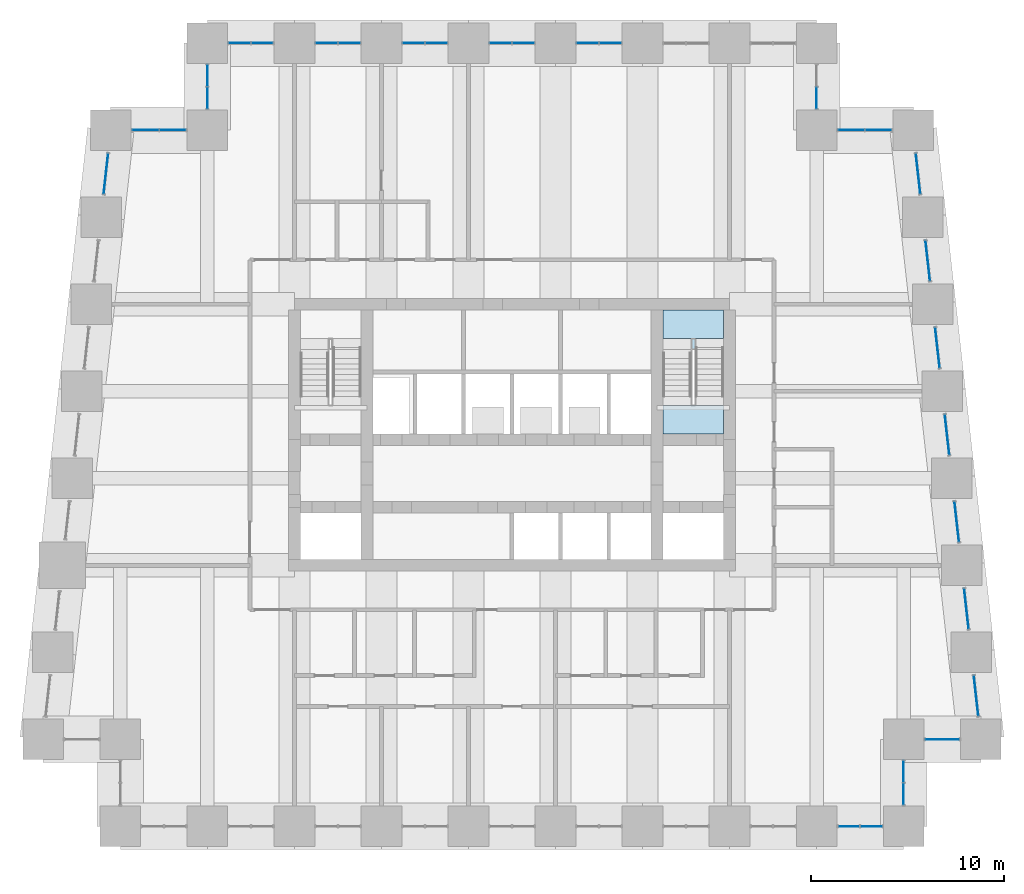
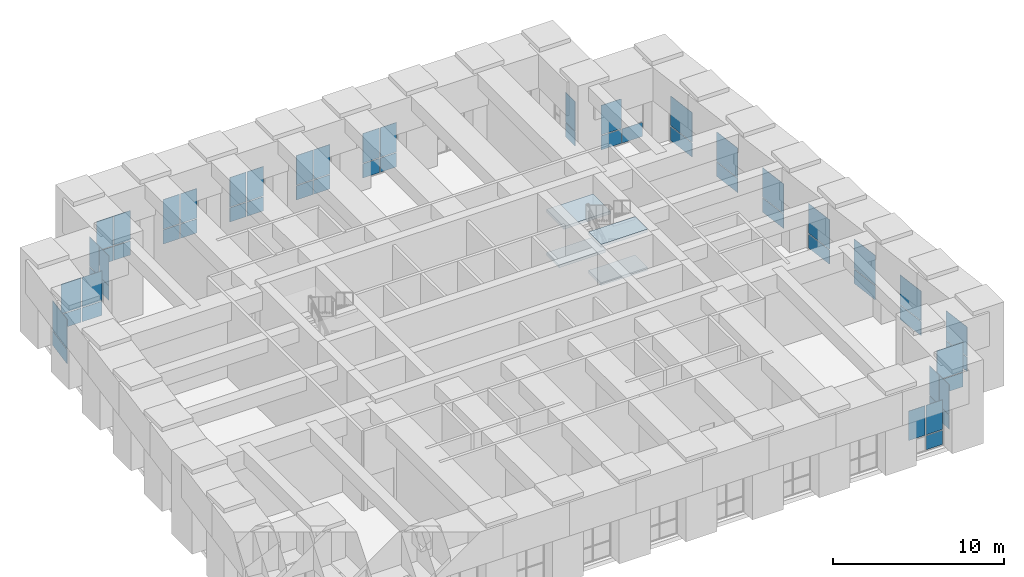
# One storey, part 10 of 17: 58 plates, 4 slabs, 21 elements without a shape of their own.
"""IFC4 building model written with IfcOpenShell, lengths in metres."""

from ifc_helpers import new_model, si_unit, direction, frame, origin, origin_2d, place, context, subcontext, project, spatial, polyline, rectangle, outline, extrude, material, layer, layer_set, type_object, element, aggregate, save


model = new_model("IFC4")

# Units and contexts
model_context = context("Model", 3, precision=1e-05, world=origin(), true_north=direction((0.0, 1.0)))
body_context = subcontext(model_context, "Body", "Model", "MODEL_VIEW")
ifc_project = project(units=[si_unit("LENGTHUNIT", "METRE"), si_unit("AREAUNIT", "SQUARE_METRE"), si_unit("VOLUMEUNIT", "CUBIC_METRE"), si_unit("PLANEANGLEUNIT", "RADIAN"), si_unit("MASSUNIT", "GRAM", prefix="KILO")], contexts=[model_context])

# Site, building, storey
site_placement = place(None, origin())
site = spatial("IfcSite", under=ifc_project, at=site_placement, CompositionType="ELEMENT")
building_placement = place(site_placement, origin())
building = spatial("IfcBuilding", under=site, at=building_placement, Name="Kilele Tower Hotel", CompositionType="ELEMENT")
storey_placement = place(building_placement, frame((0.0, 0.0, 145.89990234375)))
storey = spatial("IfcBuildingStorey", under=building, at=storey_placement, Name="L38", CompositionType="ELEMENT", Elevation=145.89990234375)

# Curtain wall, plates
ifc_material_1 = material(Name="Aluminium curtain wall, clear double glazing", Category="aluminium")
curtain_wall_type = type_object("IfcCurtainWallType", Name="Sky lobby curtain wall CW-3", PredefinedType="NOTDEFINED", material=ifc_material_1)
curtain_wall_1_placement = place(storey_placement, origin())
curtain_wall_1 = element("IfcCurtainWall", 1, at=curtain_wall_1_placement, inside=storey, type_object=curtain_wall_type, Name="Sky lobby curtain wall CW-3 L38", PredefinedType="NOTDEFINED")
ifc_material_2 = material(Name="Clear double glazing", Category="glass")
ifc_layer_1 = layer(ifc_material_2, 0.028076171875)
ifc_layer_set_1 = layer_set([ifc_layer_1], Name="Clear double glazing")
plate_type = type_object("IfcPlateType", Name="Glazed panel 28 CW-3", PredefinedType="CURTAIN_PANEL", material=ifc_layer_set_1)
plate_1_placement = place(storey_placement, frame((42.1650390625, 0.0, 1.1298828125), z_axis=(0.0, 0.0, 1.0), x_axis=(1.0, 0.0, 0.0)))
plate_1 = element("IfcPlate", 2, at=plate_1_placement, type_object=plate_type, Name="CW-3 panel 1.2", PredefinedType="CURTAIN_PANEL", context=body_context, shape_type="SweptSolid", body=[
    extrude(rectangle(XDim=1.110107421875, YDim=0.028076171875, at=origin_2d()), origin(), (0.0, 0.0, 1.0), 2.110107421875),
])
plate_2_placement = place(storey_placement, frame((43.3349609375, 0.0, 0.06005859375), z_axis=(0.0, 0.0, 1.0), x_axis=(1.0, 0.0, 0.0)))
plate_2 = element("IfcPlate", 3, at=plate_2_placement, type_object=plate_type, Name="CW-3 panel 2.1", PredefinedType="CURTAIN_PANEL", context=body_context, shape_type="SweptSolid", body=[
    extrude(rectangle(XDim=1.110107421875, YDim=0.028076171875, at=origin_2d()), origin(), (0.0, 0.0, 1.0), 1.010009765625),
])
plate_3_placement = place(storey_placement, frame((43.3349609375, 0.0, 1.1298828125), z_axis=(0.0, 0.0, 1.0), x_axis=(1.0, 0.0, 0.0)))
plate_3 = element("IfcPlate", 4, at=plate_3_placement, type_object=plate_type, Name="CW-3 panel 2.2", PredefinedType="CURTAIN_PANEL", context=body_context, shape_type="SweptSolid", body=[
    extrude(rectangle(XDim=1.110107421875, YDim=0.028076171875, at=origin_2d()), origin(), (0.0, 0.0, 1.0), 2.110107421875),
])
aggregate(curtain_wall_1, [plate_1, plate_2, plate_3])

curtain_wall_2_placement = place(storey_placement, origin())
curtain_wall_2 = element("IfcCurtainWall", 5, at=curtain_wall_2_placement, inside=storey, type_object=curtain_wall_type, Name="Sky lobby curtain wall CW-3 L38", PredefinedType="NOTDEFINED")
plate_4_placement = place(storey_placement, frame((45.0, 1.6650390625, 0.06005859375), z_axis=(0.0, 0.0, 1.0), x_axis=(0.0, 1.0, 0.0)))
plate_4 = element("IfcPlate", 6, at=plate_4_placement, type_object=plate_type, Name="CW-3 panel 1.1", PredefinedType="CURTAIN_PANEL", context=body_context, shape_type="SweptSolid", body=[
    extrude(rectangle(XDim=1.110107421875, YDim=0.028076171875, at=origin_2d()), origin(), (0.0, 0.0, 1.0), 1.010009765625),
])
plate_5_placement = place(storey_placement, frame((45.0, 1.6650390625, 1.1298828125), z_axis=(0.0, 0.0, 1.0), x_axis=(0.0, 1.0, 0.0)))
plate_5 = element("IfcPlate", 7, at=plate_5_placement, type_object=plate_type, Name="CW-3 panel 1.2", PredefinedType="CURTAIN_PANEL", context=body_context, shape_type="SweptSolid", body=[
    extrude(rectangle(XDim=1.110107421875, YDim=0.028076171875, at=origin_2d()), origin(), (0.0, 0.0, 1.0), 2.110107421875),
])
plate_6_placement = place(storey_placement, frame((45.0, 2.8349609375, 0.06005859375), z_axis=(0.0, 0.0, 1.0), x_axis=(0.0, 1.0, 0.0)))
plate_6 = element("IfcPlate", 8, at=plate_6_placement, type_object=plate_type, Name="CW-3 panel 2.1", PredefinedType="CURTAIN_PANEL", context=body_context, shape_type="SweptSolid", body=[
    extrude(rectangle(XDim=1.110107421875, YDim=0.028076171875, at=origin_2d()), origin(), (0.0, 0.0, 1.0), 1.010009765625),
])
plate_7_placement = place(storey_placement, frame((45.0, 2.8349609375, 1.1298828125), z_axis=(0.0, 0.0, 1.0), x_axis=(0.0, 1.0, 0.0)))
plate_7 = element("IfcPlate", 9, at=plate_7_placement, type_object=plate_type, Name="CW-3 panel 2.2", PredefinedType="CURTAIN_PANEL", context=body_context, shape_type="SweptSolid", body=[
    extrude(rectangle(XDim=1.110107421875, YDim=0.028076171875, at=origin_2d()), origin(), (0.0, 0.0, 1.0), 2.110107421875),
])
aggregate(curtain_wall_2, [plate_4, plate_5, plate_6, plate_7])

curtain_wall_3_placement = place(storey_placement, origin())
curtain_wall_3 = element("IfcCurtainWall", 10, at=curtain_wall_3_placement, inside=storey, type_object=curtain_wall_type, Name="Sky lobby curtain wall CW-3 L38", PredefinedType="NOTDEFINED")
plate_8_placement = place(storey_placement, frame((47.0, 4.5, 0.06005859375), z_axis=(0.0, 0.0, 1.0), x_axis=(1.0, 0.0, 0.0)))
plate_8 = element("IfcPlate", 11, at=plate_8_placement, type_object=plate_type, Name="CW-3 panel 1.1", PredefinedType="CURTAIN_PANEL", context=body_context, shape_type="SweptSolid", body=[
    extrude(rectangle(XDim=1.780029296875, YDim=0.028076171875, at=origin_2d()), origin(), (0.0, 0.0, 1.0), 1.010009765625),
])
plate_9_placement = place(storey_placement, frame((47.0, 4.5, 1.1298828125), z_axis=(0.0, 0.0, 1.0), x_axis=(1.0, 0.0, 0.0)))
plate_9 = element("IfcPlate", 12, at=plate_9_placement, type_object=plate_type, Name="CW-3 panel 1.2", PredefinedType="CURTAIN_PANEL", context=body_context, shape_type="SweptSolid", body=[
    extrude(rectangle(XDim=1.780029296875, YDim=0.028076171875, at=origin_2d()), origin(), (0.0, 0.0, 1.0), 2.110107421875),
])
aggregate(curtain_wall_3, [plate_8, plate_9])

curtain_wall_4_placement = place(storey_placement, origin())
curtain_wall_4 = element("IfcCurtainWall", 13, at=curtain_wall_4_placement, inside=storey, type_object=curtain_wall_type, Name="Sky lobby curtain wall CW-3 L38", PredefinedType="NOTDEFINED")
plate_10_placement = place(storey_placement, frame((48.75, 6.75, 0.06005859375), z_axis=(0.0, 0.0, 1.0), x_axis=(-0.110431526475, 0.993883734629, 0.0)))
plate_10 = element("IfcPlate", 14, at=plate_10_placement, type_object=plate_type, Name="CW-3 panel 1.1", PredefinedType="CURTAIN_PANEL", context=body_context, shape_type="SweptSolid", body=[
    extrude(rectangle(XDim=2.088623046875, YDim=0.028076171875, at=origin_2d()), origin(), (0.0, 0.0, 1.0), 1.010009765625),
])
plate_11_placement = place(storey_placement, frame((48.75, 6.75, 1.1298828125), z_axis=(0.0, 0.0, 1.0), x_axis=(-0.110431526475, 0.993883734629, 0.0)))
plate_11 = element("IfcPlate", 15, at=plate_11_placement, type_object=plate_type, Name="CW-3 panel 1.2", PredefinedType="CURTAIN_PANEL", context=body_context, shape_type="SweptSolid", body=[
    extrude(rectangle(XDim=2.088623046875, YDim=0.028076171875, at=origin_2d()), origin(), (0.0, 0.0, 1.0), 2.110107421875),
])
aggregate(curtain_wall_4, [plate_10, plate_11])

curtain_wall_5_placement = place(storey_placement, origin())
curtain_wall_5 = element("IfcCurtainWall", 16, at=curtain_wall_5_placement, inside=storey, type_object=curtain_wall_type, Name="Sky lobby curtain wall CW-3 L38", PredefinedType="NOTDEFINED")
plate_12_placement = place(storey_placement, frame((48.25, 11.25, 0.06005859375), z_axis=(0.0, 0.0, 1.0), x_axis=(-0.110431526475, 0.993883734629, 0.0)))
plate_12 = element("IfcPlate", 17, at=plate_12_placement, type_object=plate_type, Name="CW-3 panel 1.1", PredefinedType="CURTAIN_PANEL", context=body_context, shape_type="SweptSolid", body=[
    extrude(rectangle(XDim=2.088623046875, YDim=0.028076171875, at=origin_2d()), origin(), (0.0, 0.0, 1.0), 1.010009765625),
])
plate_13_placement = place(storey_placement, frame((48.25, 11.25, 1.1298828125), z_axis=(0.0, 0.0, 1.0), x_axis=(-0.110431526475, 0.993883734629, 0.0)))
plate_13 = element("IfcPlate", 18, at=plate_13_placement, type_object=plate_type, Name="CW-3 panel 1.2", PredefinedType="CURTAIN_PANEL", context=body_context, shape_type="SweptSolid", body=[
    extrude(rectangle(XDim=2.088623046875, YDim=0.028076171875, at=origin_2d()), origin(), (0.0, 0.0, 1.0), 2.110107421875),
])
aggregate(curtain_wall_5, [plate_12, plate_13])

curtain_wall_6_placement = place(storey_placement, origin())
curtain_wall_6 = element("IfcCurtainWall", 19, at=curtain_wall_6_placement, inside=storey, type_object=curtain_wall_type, Name="Sky lobby curtain wall CW-3 L38", PredefinedType="NOTDEFINED")
plate_14_placement = place(storey_placement, frame((47.75, 15.75, 0.06005859375), z_axis=(0.0, 0.0, 1.0), x_axis=(-0.110431526475, 0.993883734629, 0.0)))
plate_14 = element("IfcPlate", 20, at=plate_14_placement, type_object=plate_type, Name="CW-3 panel 1.1", PredefinedType="CURTAIN_PANEL", context=body_context, shape_type="SweptSolid", body=[
    extrude(rectangle(XDim=2.088623046875, YDim=0.028076171875, at=origin_2d()), origin(), (0.0, 0.0, 1.0), 1.010009765625),
])
plate_15_placement = place(storey_placement, frame((47.75, 15.75, 1.1298828125), z_axis=(0.0, 0.0, 1.0), x_axis=(-0.110431526475, 0.993883734629, 0.0)))
plate_15 = element("IfcPlate", 21, at=plate_15_placement, type_object=plate_type, Name="CW-3 panel 1.2", PredefinedType="CURTAIN_PANEL", context=body_context, shape_type="SweptSolid", body=[
    extrude(rectangle(XDim=2.088623046875, YDim=0.028076171875, at=origin_2d()), origin(), (0.0, 0.0, 1.0), 2.110107421875),
])
aggregate(curtain_wall_6, [plate_14, plate_15])

curtain_wall_7_placement = place(storey_placement, origin())
curtain_wall_7 = element("IfcCurtainWall", 22, at=curtain_wall_7_placement, inside=storey, type_object=curtain_wall_type, Name="Sky lobby curtain wall CW-3 L38", PredefinedType="NOTDEFINED")
plate_16_placement = place(storey_placement, frame((47.25, 20.25, 0.06005859375), z_axis=(0.0, 0.0, 1.0), x_axis=(-0.110431526475, 0.993883734629, 0.0)))
plate_16 = element("IfcPlate", 23, at=plate_16_placement, type_object=plate_type, Name="CW-3 panel 1.1", PredefinedType="CURTAIN_PANEL", context=body_context, shape_type="SweptSolid", body=[
    extrude(rectangle(XDim=2.088623046875, YDim=0.028076171875, at=origin_2d()), origin(), (0.0, 0.0, 1.0), 1.010009765625),
])
plate_17_placement = place(storey_placement, frame((47.25, 20.25, 1.1298828125), z_axis=(0.0, 0.0, 1.0), x_axis=(-0.110431526475, 0.993883734629, 0.0)))
plate_17 = element("IfcPlate", 24, at=plate_17_placement, type_object=plate_type, Name="CW-3 panel 1.2", PredefinedType="CURTAIN_PANEL", context=body_context, shape_type="SweptSolid", body=[
    extrude(rectangle(XDim=2.088623046875, YDim=0.028076171875, at=origin_2d()), origin(), (0.0, 0.0, 1.0), 2.110107421875),
])
aggregate(curtain_wall_7, [plate_16, plate_17])

curtain_wall_8_placement = place(storey_placement, origin())
curtain_wall_8 = element("IfcCurtainWall", 25, at=curtain_wall_8_placement, inside=storey, type_object=curtain_wall_type, Name="Sky lobby curtain wall CW-3 L38", PredefinedType="NOTDEFINED")
plate_18_placement = place(storey_placement, frame((46.75, 24.75, 0.06005859375), z_axis=(0.0, 0.0, 1.0), x_axis=(-0.110431526475, 0.993883734629, 0.0)))
plate_18 = element("IfcPlate", 26, at=plate_18_placement, type_object=plate_type, Name="CW-3 panel 1.1", PredefinedType="CURTAIN_PANEL", context=body_context, shape_type="SweptSolid", body=[
    extrude(rectangle(XDim=2.088623046875, YDim=0.028076171875, at=origin_2d()), origin(), (0.0, 0.0, 1.0), 1.010009765625),
])
plate_19_placement = place(storey_placement, frame((46.75, 24.75, 1.1298828125), z_axis=(0.0, 0.0, 1.0), x_axis=(-0.110431526475, 0.993883734629, 0.0)))
plate_19 = element("IfcPlate", 27, at=plate_19_placement, type_object=plate_type, Name="CW-3 panel 1.2", PredefinedType="CURTAIN_PANEL", context=body_context, shape_type="SweptSolid", body=[
    extrude(rectangle(XDim=2.088623046875, YDim=0.028076171875, at=origin_2d()), origin(), (0.0, 0.0, 1.0), 2.110107421875),
])
aggregate(curtain_wall_8, [plate_18, plate_19])

curtain_wall_9_placement = place(storey_placement, origin())
curtain_wall_9 = element("IfcCurtainWall", 28, at=curtain_wall_9_placement, inside=storey, type_object=curtain_wall_type, Name="Sky lobby curtain wall CW-3 L38", PredefinedType="NOTDEFINED")
plate_20_placement = place(storey_placement, frame((46.25, 29.25, 0.06005859375), z_axis=(0.0, 0.0, 1.0), x_axis=(-0.110431526475, 0.993883734629, 0.0)))
plate_20 = element("IfcPlate", 29, at=plate_20_placement, type_object=plate_type, Name="CW-3 panel 1.1", PredefinedType="CURTAIN_PANEL", context=body_context, shape_type="SweptSolid", body=[
    extrude(rectangle(XDim=2.088623046875, YDim=0.028076171875, at=origin_2d()), origin(), (0.0, 0.0, 1.0), 1.010009765625),
])
plate_21_placement = place(storey_placement, frame((46.25, 29.25, 1.1298828125), z_axis=(0.0, 0.0, 1.0), x_axis=(-0.110431526475, 0.993883734629, 0.0)))
plate_21 = element("IfcPlate", 30, at=plate_21_placement, type_object=plate_type, Name="CW-3 panel 1.2", PredefinedType="CURTAIN_PANEL", context=body_context, shape_type="SweptSolid", body=[
    extrude(rectangle(XDim=2.088623046875, YDim=0.028076171875, at=origin_2d()), origin(), (0.0, 0.0, 1.0), 2.110107421875),
])
aggregate(curtain_wall_9, [plate_20, plate_21])

curtain_wall_10_placement = place(storey_placement, origin())
curtain_wall_10 = element("IfcCurtainWall", 31, at=curtain_wall_10_placement, inside=storey, type_object=curtain_wall_type, Name="Sky lobby curtain wall CW-3 L38", PredefinedType="NOTDEFINED")
plate_22_placement = place(storey_placement, frame((45.75, 33.75, 0.06005859375), z_axis=(0.0, 0.0, 1.0), x_axis=(-0.110431526475, 0.993883734629, 0.0)))
plate_22 = element("IfcPlate", 32, at=plate_22_placement, type_object=plate_type, Name="CW-3 panel 1.1", PredefinedType="CURTAIN_PANEL", context=body_context, shape_type="SweptSolid", body=[
    extrude(rectangle(XDim=2.088623046875, YDim=0.028076171875, at=origin_2d()), origin(), (0.0, 0.0, 1.0), 1.010009765625),
])
plate_23_placement = place(storey_placement, frame((45.75, 33.75, 1.1298828125), z_axis=(0.0, 0.0, 1.0), x_axis=(-0.110431526475, 0.993883734629, 0.0)))
plate_23 = element("IfcPlate", 33, at=plate_23_placement, type_object=plate_type, Name="CW-3 panel 1.2", PredefinedType="CURTAIN_PANEL", context=body_context, shape_type="SweptSolid", body=[
    extrude(rectangle(XDim=2.088623046875, YDim=0.028076171875, at=origin_2d()), origin(), (0.0, 0.0, 1.0), 2.110107421875),
])
aggregate(curtain_wall_10, [plate_22, plate_23])

curtain_wall_11_placement = place(storey_placement, origin())
curtain_wall_11 = element("IfcCurtainWall", 34, at=curtain_wall_11_placement, inside=storey, type_object=curtain_wall_type, Name="Sky lobby curtain wall CW-3 L38", PredefinedType="NOTDEFINED")
plate_24_placement = place(storey_placement, frame((43.7099609375, 36.0, 0.06005859375), z_axis=(0.0, 0.0, 1.0), x_axis=(-1.0, 0.0, 0.0)))
plate_24 = element("IfcPlate", 35, at=plate_24_placement, type_object=plate_type, Name="CW-3 panel 1.1", PredefinedType="CURTAIN_PANEL", context=body_context, shape_type="SweptSolid", body=[
    extrude(rectangle(XDim=1.360107421875, YDim=0.028076171875, at=origin_2d()), origin(), (0.0, 0.0, 1.0), 1.010009765625),
])
plate_25_placement = place(storey_placement, frame((42.2900390625, 36.0, 0.06005859375), z_axis=(0.0, 0.0, 1.0), x_axis=(-1.0, 0.0, 0.0)))
plate_25 = element("IfcPlate", 36, at=plate_25_placement, type_object=plate_type, Name="CW-3 panel 2.1", PredefinedType="CURTAIN_PANEL", context=body_context, shape_type="SweptSolid", body=[
    extrude(rectangle(XDim=1.360107421875, YDim=0.028076171875, at=origin_2d()), origin(), (0.0, 0.0, 1.0), 1.010009765625),
])
plate_26_placement = place(storey_placement, frame((42.2900390625, 36.0, 1.1298828125), z_axis=(0.0, 0.0, 1.0), x_axis=(-1.0, 0.0, 0.0)))
plate_26 = element("IfcPlate", 37, at=plate_26_placement, type_object=plate_type, Name="CW-3 panel 2.2", PredefinedType="CURTAIN_PANEL", context=body_context, shape_type="SweptSolid", body=[
    extrude(rectangle(XDim=1.360107421875, YDim=0.028076171875, at=origin_2d()), origin(), (0.0, 0.0, 1.0), 2.110107421875),
])
aggregate(curtain_wall_11, [plate_24, plate_25, plate_26])

curtain_wall_12_placement = place(storey_placement, origin())
curtain_wall_12 = element("IfcCurtainWall", 38, at=curtain_wall_12_placement, inside=storey, type_object=curtain_wall_type, Name="Sky lobby curtain wall CW-3 L38", PredefinedType="NOTDEFINED")
plate_27_placement = place(storey_placement, frame((40.5, 37.6650390625, 0.06005859375), z_axis=(0.0, 0.0, 1.0), x_axis=(0.0, 1.0, 0.0)))
plate_27 = element("IfcPlate", 39, at=plate_27_placement, type_object=plate_type, Name="CW-3 panel 1.1", PredefinedType="CURTAIN_PANEL", context=body_context, shape_type="SweptSolid", body=[
    extrude(rectangle(XDim=1.110107421875, YDim=0.028076171875, at=origin_2d()), origin(), (0.0, 0.0, 1.0), 1.010009765625),
])
plate_28_placement = place(storey_placement, frame((40.5, 37.6650390625, 1.1298828125), z_axis=(0.0, 0.0, 1.0), x_axis=(0.0, 1.0, 0.0)))
plate_28 = element("IfcPlate", 40, at=plate_28_placement, type_object=plate_type, Name="CW-3 panel 1.2", PredefinedType="CURTAIN_PANEL", context=body_context, shape_type="SweptSolid", body=[
    extrude(rectangle(XDim=1.110107421875, YDim=0.028076171875, at=origin_2d()), origin(), (0.0, 0.0, 1.0), 2.110107421875),
])
aggregate(curtain_wall_12, [plate_27, plate_28])

curtain_wall_13_placement = place(storey_placement, origin())
curtain_wall_13 = element("IfcCurtainWall", 41, at=curtain_wall_13_placement, inside=storey, type_object=curtain_wall_type, Name="Sky lobby curtain wall CW-3 L38", PredefinedType="NOTDEFINED")
plate_29_placement = place(storey_placement, frame((29.8349609375, 40.5, 0.06005859375), z_axis=(0.0, 0.0, 1.0), x_axis=(-1.0, 0.0, 0.0)))
plate_29 = element("IfcPlate", 42, at=plate_29_placement, type_object=plate_type, Name="CW-3 panel 1.1", PredefinedType="CURTAIN_PANEL", context=body_context, shape_type="SweptSolid", body=[
    extrude(rectangle(XDim=1.110107421875, YDim=0.028076171875, at=origin_2d()), origin(), (0.0, 0.0, 1.0), 1.010009765625),
])
plate_30_placement = place(storey_placement, frame((29.8349609375, 40.5, 1.1298828125), z_axis=(0.0, 0.0, 1.0), x_axis=(-1.0, 0.0, 0.0)))
plate_30 = element("IfcPlate", 43, at=plate_30_placement, type_object=plate_type, Name="CW-3 panel 1.2", PredefinedType="CURTAIN_PANEL", context=body_context, shape_type="SweptSolid", body=[
    extrude(rectangle(XDim=1.110107421875, YDim=0.028076171875, at=origin_2d()), origin(), (0.0, 0.0, 1.0), 2.110107421875),
])
plate_31_placement = place(storey_placement, frame((28.6650390625, 40.5, 0.06005859375), z_axis=(0.0, 0.0, 1.0), x_axis=(-1.0, 0.0, 0.0)))
plate_31 = element("IfcPlate", 44, at=plate_31_placement, type_object=plate_type, Name="CW-3 panel 2.1", PredefinedType="CURTAIN_PANEL", context=body_context, shape_type="SweptSolid", body=[
    extrude(rectangle(XDim=1.110107421875, YDim=0.028076171875, at=origin_2d()), origin(), (0.0, 0.0, 1.0), 1.010009765625),
])
plate_32_placement = place(storey_placement, frame((28.6650390625, 40.5, 1.1298828125), z_axis=(0.0, 0.0, 1.0), x_axis=(-1.0, 0.0, 0.0)))
plate_32 = element("IfcPlate", 45, at=plate_32_placement, type_object=plate_type, Name="CW-3 panel 2.2", PredefinedType="CURTAIN_PANEL", context=body_context, shape_type="SweptSolid", body=[
    extrude(rectangle(XDim=1.110107421875, YDim=0.028076171875, at=origin_2d()), origin(), (0.0, 0.0, 1.0), 2.110107421875),
])
aggregate(curtain_wall_13, [plate_29, plate_30, plate_31, plate_32])

curtain_wall_14_placement = place(storey_placement, origin())
curtain_wall_14 = element("IfcCurtainWall", 46, at=curtain_wall_14_placement, inside=storey, type_object=curtain_wall_type, Name="Sky lobby curtain wall CW-3 L38", PredefinedType="NOTDEFINED")
plate_33_placement = place(storey_placement, frame((25.3349609375, 40.5, 0.06005859375), z_axis=(0.0, 0.0, 1.0), x_axis=(-1.0, 0.0, 0.0)))
plate_33 = element("IfcPlate", 47, at=plate_33_placement, type_object=plate_type, Name="CW-3 panel 1.1", PredefinedType="CURTAIN_PANEL", context=body_context, shape_type="SweptSolid", body=[
    extrude(rectangle(XDim=1.110107421875, YDim=0.028076171875, at=origin_2d()), origin(), (0.0, 0.0, 1.0), 1.010009765625),
])
plate_34_placement = place(storey_placement, frame((25.3349609375, 40.5, 1.1298828125), z_axis=(0.0, 0.0, 1.0), x_axis=(-1.0, 0.0, 0.0)))
plate_34 = element("IfcPlate", 48, at=plate_34_placement, type_object=plate_type, Name="CW-3 panel 1.2", PredefinedType="CURTAIN_PANEL", context=body_context, shape_type="SweptSolid", body=[
    extrude(rectangle(XDim=1.110107421875, YDim=0.028076171875, at=origin_2d()), origin(), (0.0, 0.0, 1.0), 2.110107421875),
])
plate_35_placement = place(storey_placement, frame((24.1650390625, 40.5, 0.06005859375), z_axis=(0.0, 0.0, 1.0), x_axis=(-1.0, 0.0, 0.0)))
plate_35 = element("IfcPlate", 49, at=plate_35_placement, type_object=plate_type, Name="CW-3 panel 2.1", PredefinedType="CURTAIN_PANEL", context=body_context, shape_type="SweptSolid", body=[
    extrude(rectangle(XDim=1.110107421875, YDim=0.028076171875, at=origin_2d()), origin(), (0.0, 0.0, 1.0), 1.010009765625),
])
plate_36_placement = place(storey_placement, frame((24.1650390625, 40.5, 1.1298828125), z_axis=(0.0, 0.0, 1.0), x_axis=(-1.0, 0.0, 0.0)))
plate_36 = element("IfcPlate", 50, at=plate_36_placement, type_object=plate_type, Name="CW-3 panel 2.2", PredefinedType="CURTAIN_PANEL", context=body_context, shape_type="SweptSolid", body=[
    extrude(rectangle(XDim=1.110107421875, YDim=0.028076171875, at=origin_2d()), origin(), (0.0, 0.0, 1.0), 2.110107421875),
])
aggregate(curtain_wall_14, [plate_33, plate_34, plate_35, plate_36])

curtain_wall_15_placement = place(storey_placement, origin())
curtain_wall_15 = element("IfcCurtainWall", 51, at=curtain_wall_15_placement, inside=storey, type_object=curtain_wall_type, Name="Sky lobby curtain wall CW-3 L38", PredefinedType="NOTDEFINED")
plate_37_placement = place(storey_placement, frame((20.8349609375, 40.5, 0.06005859375), z_axis=(0.0, 0.0, 1.0), x_axis=(-1.0, 0.0, 0.0)))
plate_37 = element("IfcPlate", 52, at=plate_37_placement, type_object=plate_type, Name="CW-3 panel 1.1", PredefinedType="CURTAIN_PANEL", context=body_context, shape_type="SweptSolid", body=[
    extrude(rectangle(XDim=1.110107421875, YDim=0.028076171875, at=origin_2d()), origin(), (0.0, 0.0, 1.0), 1.010009765625),
])
plate_38_placement = place(storey_placement, frame((20.8349609375, 40.5, 1.1298828125), z_axis=(0.0, 0.0, 1.0), x_axis=(-1.0, 0.0, 0.0)))
plate_38 = element("IfcPlate", 53, at=plate_38_placement, type_object=plate_type, Name="CW-3 panel 1.2", PredefinedType="CURTAIN_PANEL", context=body_context, shape_type="SweptSolid", body=[
    extrude(rectangle(XDim=1.110107421875, YDim=0.028076171875, at=origin_2d()), origin(), (0.0, 0.0, 1.0), 2.110107421875),
])
plate_39_placement = place(storey_placement, frame((19.6650390625, 40.5, 0.06005859375), z_axis=(0.0, 0.0, 1.0), x_axis=(-1.0, 0.0, 0.0)))
plate_39 = element("IfcPlate", 54, at=plate_39_placement, type_object=plate_type, Name="CW-3 panel 2.1", PredefinedType="CURTAIN_PANEL", context=body_context, shape_type="SweptSolid", body=[
    extrude(rectangle(XDim=1.110107421875, YDim=0.028076171875, at=origin_2d()), origin(), (0.0, 0.0, 1.0), 1.010009765625),
])
plate_40_placement = place(storey_placement, frame((19.6650390625, 40.5, 1.1298828125), z_axis=(0.0, 0.0, 1.0), x_axis=(-1.0, 0.0, 0.0)))
plate_40 = element("IfcPlate", 55, at=plate_40_placement, type_object=plate_type, Name="CW-3 panel 2.2", PredefinedType="CURTAIN_PANEL", context=body_context, shape_type="SweptSolid", body=[
    extrude(rectangle(XDim=1.110107421875, YDim=0.028076171875, at=origin_2d()), origin(), (0.0, 0.0, 1.0), 2.110107421875),
])
aggregate(curtain_wall_15, [plate_37, plate_38, plate_39, plate_40])

curtain_wall_16_placement = place(storey_placement, origin())
curtain_wall_16 = element("IfcCurtainWall", 56, at=curtain_wall_16_placement, inside=storey, type_object=curtain_wall_type, Name="Sky lobby curtain wall CW-3 L38", PredefinedType="NOTDEFINED")
plate_41_placement = place(storey_placement, frame((16.3349609375, 40.5, 0.06005859375), z_axis=(0.0, 0.0, 1.0), x_axis=(-1.0, 0.0, 0.0)))
plate_41 = element("IfcPlate", 57, at=plate_41_placement, type_object=plate_type, Name="CW-3 panel 1.1", PredefinedType="CURTAIN_PANEL", context=body_context, shape_type="SweptSolid", body=[
    extrude(rectangle(XDim=1.110107421875, YDim=0.028076171875, at=origin_2d()), origin(), (0.0, 0.0, 1.0), 1.010009765625),
])
plate_42_placement = place(storey_placement, frame((16.3349609375, 40.5, 1.1298828125), z_axis=(0.0, 0.0, 1.0), x_axis=(-1.0, 0.0, 0.0)))
plate_42 = element("IfcPlate", 58, at=plate_42_placement, type_object=plate_type, Name="CW-3 panel 1.2", PredefinedType="CURTAIN_PANEL", context=body_context, shape_type="SweptSolid", body=[
    extrude(rectangle(XDim=1.110107421875, YDim=0.028076171875, at=origin_2d()), origin(), (0.0, 0.0, 1.0), 2.110107421875),
])
plate_43_placement = place(storey_placement, frame((15.1650390625, 40.5, 0.06005859375), z_axis=(0.0, 0.0, 1.0), x_axis=(-1.0, 0.0, 0.0)))
plate_43 = element("IfcPlate", 59, at=plate_43_placement, type_object=plate_type, Name="CW-3 panel 2.1", PredefinedType="CURTAIN_PANEL", context=body_context, shape_type="SweptSolid", body=[
    extrude(rectangle(XDim=1.110107421875, YDim=0.028076171875, at=origin_2d()), origin(), (0.0, 0.0, 1.0), 1.010009765625),
])
plate_44_placement = place(storey_placement, frame((15.1650390625, 40.5, 1.1298828125), z_axis=(0.0, 0.0, 1.0), x_axis=(-1.0, 0.0, 0.0)))
plate_44 = element("IfcPlate", 60, at=plate_44_placement, type_object=plate_type, Name="CW-3 panel 2.2", PredefinedType="CURTAIN_PANEL", context=body_context, shape_type="SweptSolid", body=[
    extrude(rectangle(XDim=1.110107421875, YDim=0.028076171875, at=origin_2d()), origin(), (0.0, 0.0, 1.0), 2.110107421875),
])
aggregate(curtain_wall_16, [plate_41, plate_42, plate_43, plate_44])

curtain_wall_17_placement = place(storey_placement, origin())
curtain_wall_17 = element("IfcCurtainWall", 61, at=curtain_wall_17_placement, inside=storey, type_object=curtain_wall_type, Name="Sky lobby curtain wall CW-3 L38", PredefinedType="NOTDEFINED")
plate_45_placement = place(storey_placement, frame((11.8349609375, 40.5, 0.06005859375), z_axis=(0.0, 0.0, 1.0), x_axis=(-1.0, 0.0, 0.0)))
plate_45 = element("IfcPlate", 62, at=plate_45_placement, type_object=plate_type, Name="CW-3 panel 1.1", PredefinedType="CURTAIN_PANEL", context=body_context, shape_type="SweptSolid", body=[
    extrude(rectangle(XDim=1.110107421875, YDim=0.028076171875, at=origin_2d()), origin(), (0.0, 0.0, 1.0), 1.010009765625),
])
plate_46_placement = place(storey_placement, frame((11.8349609375, 40.5, 1.1298828125), z_axis=(0.0, 0.0, 1.0), x_axis=(-1.0, 0.0, 0.0)))
plate_46 = element("IfcPlate", 63, at=plate_46_placement, type_object=plate_type, Name="CW-3 panel 1.2", PredefinedType="CURTAIN_PANEL", context=body_context, shape_type="SweptSolid", body=[
    extrude(rectangle(XDim=1.110107421875, YDim=0.028076171875, at=origin_2d()), origin(), (0.0, 0.0, 1.0), 2.110107421875),
])
plate_47_placement = place(storey_placement, frame((10.6650390625, 40.5, 0.06005859375), z_axis=(0.0, 0.0, 1.0), x_axis=(-1.0, 0.0, 0.0)))
plate_47 = element("IfcPlate", 64, at=plate_47_placement, type_object=plate_type, Name="CW-3 panel 2.1", PredefinedType="CURTAIN_PANEL", context=body_context, shape_type="SweptSolid", body=[
    extrude(rectangle(XDim=1.110107421875, YDim=0.028076171875, at=origin_2d()), origin(), (0.0, 0.0, 1.0), 1.010009765625),
])
plate_48_placement = place(storey_placement, frame((10.6650390625, 40.5, 1.1298828125), z_axis=(0.0, 0.0, 1.0), x_axis=(-1.0, 0.0, 0.0)))
plate_48 = element("IfcPlate", 65, at=plate_48_placement, type_object=plate_type, Name="CW-3 panel 2.2", PredefinedType="CURTAIN_PANEL", context=body_context, shape_type="SweptSolid", body=[
    extrude(rectangle(XDim=1.110107421875, YDim=0.028076171875, at=origin_2d()), origin(), (0.0, 0.0, 1.0), 2.110107421875),
])
aggregate(curtain_wall_17, [plate_45, plate_46, plate_47, plate_48])

curtain_wall_18_placement = place(storey_placement, origin())
curtain_wall_18 = element("IfcCurtainWall", 66, at=curtain_wall_18_placement, inside=storey, type_object=curtain_wall_type, Name="Sky lobby curtain wall CW-3 L38", PredefinedType="NOTDEFINED")
plate_49_placement = place(storey_placement, frame((9.0, 38.8349609375, 0.06005859375), z_axis=(0.0, 0.0, 1.0), x_axis=(0.0, -1.0, 0.0)))
plate_49 = element("IfcPlate", 67, at=plate_49_placement, type_object=plate_type, Name="CW-3 panel 1.1", PredefinedType="CURTAIN_PANEL", context=body_context, shape_type="SweptSolid", body=[
    extrude(rectangle(XDim=1.110107421875, YDim=0.028076171875, at=origin_2d()), origin(), (0.0, 0.0, 1.0), 1.010009765625),
])
plate_50_placement = place(storey_placement, frame((9.0, 38.8349609375, 1.1298828125), z_axis=(0.0, 0.0, 1.0), x_axis=(0.0, -1.0, 0.0)))
plate_50 = element("IfcPlate", 68, at=plate_50_placement, type_object=plate_type, Name="CW-3 panel 1.2", PredefinedType="CURTAIN_PANEL", context=body_context, shape_type="SweptSolid", body=[
    extrude(rectangle(XDim=1.110107421875, YDim=0.028076171875, at=origin_2d()), origin(), (0.0, 0.0, 1.0), 2.110107421875),
])
plate_51_placement = place(storey_placement, frame((9.0, 37.6650390625, 0.06005859375), z_axis=(0.0, 0.0, 1.0), x_axis=(0.0, -1.0, 0.0)))
plate_51 = element("IfcPlate", 69, at=plate_51_placement, type_object=plate_type, Name="CW-3 panel 2.1", PredefinedType="CURTAIN_PANEL", context=body_context, shape_type="SweptSolid", body=[
    extrude(rectangle(XDim=1.110107421875, YDim=0.028076171875, at=origin_2d()), origin(), (0.0, 0.0, 1.0), 1.010009765625),
])
plate_52_placement = place(storey_placement, frame((9.0, 37.6650390625, 1.1298828125), z_axis=(0.0, 0.0, 1.0), x_axis=(0.0, -1.0, 0.0)))
plate_52 = element("IfcPlate", 70, at=plate_52_placement, type_object=plate_type, Name="CW-3 panel 2.2", PredefinedType="CURTAIN_PANEL", context=body_context, shape_type="SweptSolid", body=[
    extrude(rectangle(XDim=1.110107421875, YDim=0.028076171875, at=origin_2d()), origin(), (0.0, 0.0, 1.0), 2.110107421875),
])
aggregate(curtain_wall_18, [plate_49, plate_50, plate_51, plate_52])

curtain_wall_19_placement = place(storey_placement, origin())
curtain_wall_19 = element("IfcCurtainWall", 71, at=curtain_wall_19_placement, inside=storey, type_object=curtain_wall_type, Name="Sky lobby curtain wall CW-3 L38", PredefinedType="NOTDEFINED")
plate_53_placement = place(storey_placement, frame((7.2099609375, 36.0, 0.06005859375), z_axis=(0.0, 0.0, 1.0), x_axis=(-1.0, 0.0, 0.0)))
plate_53 = element("IfcPlate", 72, at=plate_53_placement, type_object=plate_type, Name="CW-3 panel 1.1", PredefinedType="CURTAIN_PANEL", context=body_context, shape_type="SweptSolid", body=[
    extrude(rectangle(XDim=1.360107421875, YDim=0.028076171875, at=origin_2d()), origin(), (0.0, 0.0, 1.0), 1.010009765625),
])
plate_54_placement = place(storey_placement, frame((7.2099609375, 36.0, 1.1298828125), z_axis=(0.0, 0.0, 1.0), x_axis=(-1.0, 0.0, 0.0)))
plate_54 = element("IfcPlate", 73, at=plate_54_placement, type_object=plate_type, Name="CW-3 panel 1.2", PredefinedType="CURTAIN_PANEL", context=body_context, shape_type="SweptSolid", body=[
    extrude(rectangle(XDim=1.360107421875, YDim=0.028076171875, at=origin_2d()), origin(), (0.0, 0.0, 1.0), 2.110107421875),
])
plate_55_placement = place(storey_placement, frame((5.7900390625, 36.0, 0.06005859375), z_axis=(0.0, 0.0, 1.0), x_axis=(-1.0, 0.0, 0.0)))
plate_55 = element("IfcPlate", 74, at=plate_55_placement, type_object=plate_type, Name="CW-3 panel 2.1", PredefinedType="CURTAIN_PANEL", context=body_context, shape_type="SweptSolid", body=[
    extrude(rectangle(XDim=1.360107421875, YDim=0.028076171875, at=origin_2d()), origin(), (0.0, 0.0, 1.0), 1.010009765625),
])
plate_56_placement = place(storey_placement, frame((5.7900390625, 36.0, 1.1298828125), z_axis=(0.0, 0.0, 1.0), x_axis=(-1.0, 0.0, 0.0)))
plate_56 = element("IfcPlate", 75, at=plate_56_placement, type_object=plate_type, Name="CW-3 panel 2.2", PredefinedType="CURTAIN_PANEL", context=body_context, shape_type="SweptSolid", body=[
    extrude(rectangle(XDim=1.360107421875, YDim=0.028076171875, at=origin_2d()), origin(), (0.0, 0.0, 1.0), 2.110107421875),
])
aggregate(curtain_wall_19, [plate_53, plate_54, plate_55, plate_56])

curtain_wall_20_placement = place(storey_placement, origin())
curtain_wall_20 = element("IfcCurtainWall", 76, at=curtain_wall_20_placement, inside=storey, type_object=curtain_wall_type, Name="Sky lobby curtain wall CW-3 L38", PredefinedType="NOTDEFINED")
plate_57_placement = place(storey_placement, frame((3.75, 33.75, 0.06005859375), z_axis=(0.0, 0.0, 1.0), x_axis=(-0.110431526475, -0.993883734629, 0.0)))
plate_57 = element("IfcPlate", 77, at=plate_57_placement, type_object=plate_type, Name="CW-3 panel 1.1", PredefinedType="CURTAIN_PANEL", context=body_context, shape_type="SweptSolid", body=[
    extrude(rectangle(XDim=2.088623046875, YDim=0.028076171875, at=origin_2d()), origin(), (0.0, 0.0, 1.0), 1.010009765625),
])
plate_58_placement = place(storey_placement, frame((3.75, 33.75, 1.1298828125), z_axis=(0.0, 0.0, 1.0), x_axis=(-0.110431526475, -0.993883734629, 0.0)))
plate_58 = element("IfcPlate", 78, at=plate_58_placement, type_object=plate_type, Name="CW-3 panel 1.2", PredefinedType="CURTAIN_PANEL", context=body_context, shape_type="SweptSolid", body=[
    extrude(rectangle(XDim=2.088623046875, YDim=0.028076171875, at=origin_2d()), origin(), (0.0, 0.0, 1.0), 2.110107421875),
])
aggregate(curtain_wall_20, [plate_57, plate_58])

# Stair, slabs
ifc_material_3 = material(Name="Precast concrete C40/50", Category="concrete")
stair_type = type_object("IfcStairType", Name="Stair 1475 x 6000", PredefinedType="HALF_TURN_STAIR", material=ifc_material_3)
stair_placement = place(storey_placement, origin())
stair = element("IfcStair", 79, at=stair_placement, inside=storey, type_object=stair_type, Name="Stair 2 L38", PredefinedType="HALF_TURN_STAIR")
ifc_material_4 = material(Name="Precast concrete C40/50", Category="concrete")
ifc_layer_2 = layer(ifc_material_4, 0.199951171875)
ifc_layer_set_2 = layer_set([ifc_layer_2], Name="Precast concrete C40/50")
slab_type = type_object("IfcSlabType", Name="Stair landing 200", PredefinedType="LANDING", material=ifc_layer_set_2)
slab_1_placement = place(storey_placement, frame((0.0, 0.0, 1.343017578125)))
slab_1 = element("IfcSlab", 80, at=slab_1_placement, type_object=slab_type, Name="ST2 landing 1", PredefinedType="LANDING", context=body_context, shape_type="SweptSolid", body=[
    extrude(outline(polyline([(32.550048828125, 25.22509765625), (35.699951171875, 25.22509765625), (35.699951171875, 26.699951171875), (32.550048828125, 26.699951171875), (32.550048828125, 25.22509765625)])), origin(), (0.0, 0.0, 1.0), 0.199951171875),
])
slab_2_placement = place(storey_placement, frame((0.0, 0.0, 3.05712890625)))
slab_2 = element("IfcSlab", 81, at=slab_2_placement, type_object=slab_type, Name="ST2 landing 2", PredefinedType="LANDING", context=body_context, shape_type="SweptSolid", body=[
    extrude(outline(polyline([(32.550048828125, 20.300048828125), (35.699951171875, 20.300048828125), (35.699951171875, 21.77490234375), (32.550048828125, 21.77490234375), (32.550048828125, 20.300048828125)])), origin(), (0.0, 0.0, 1.0), 0.199951171875),
])
slab_3_placement = place(storey_placement, frame((0.0, 0.0, 4.4287109375)))
slab_3 = element("IfcSlab", 82, at=slab_3_placement, type_object=slab_type, Name="ST2 landing 3", PredefinedType="LANDING", context=body_context, shape_type="SweptSolid", body=[
    extrude(outline(polyline([(32.550048828125, 24.6650390625), (35.699951171875, 24.6650390625), (35.699951171875, 26.699951171875), (32.550048828125, 26.699951171875), (32.550048828125, 24.6650390625)])), origin(), (0.0, 0.0, 1.0), 0.199951171875),
])
slab_4_placement = place(storey_placement, frame((0.0, 0.0, 5.800048828125)))
slab_4 = element("IfcSlab", 83, at=slab_4_placement, type_object=slab_type, Name="ST2 landing 4", PredefinedType="LANDING", context=body_context, shape_type="SweptSolid", body=[
    extrude(outline(polyline([(32.550048828125, 20.300048828125), (35.699951171875, 20.300048828125), (35.699951171875, 21.77490234375), (32.550048828125, 21.77490234375), (32.550048828125, 20.300048828125)])), origin(), (0.0, 0.0, 1.0), 0.199951171875),
])
aggregate(stair, [slab_1, slab_2, slab_3, slab_4])

save(model, "model.ifc")
